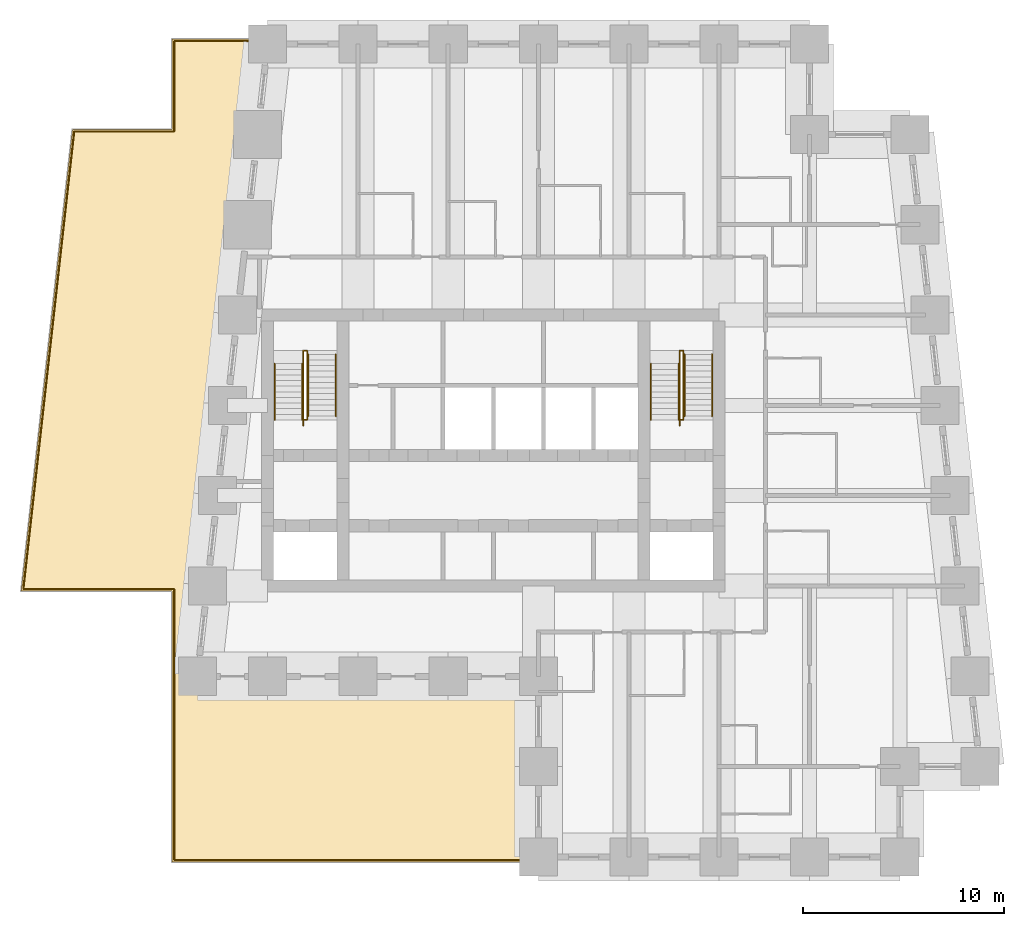
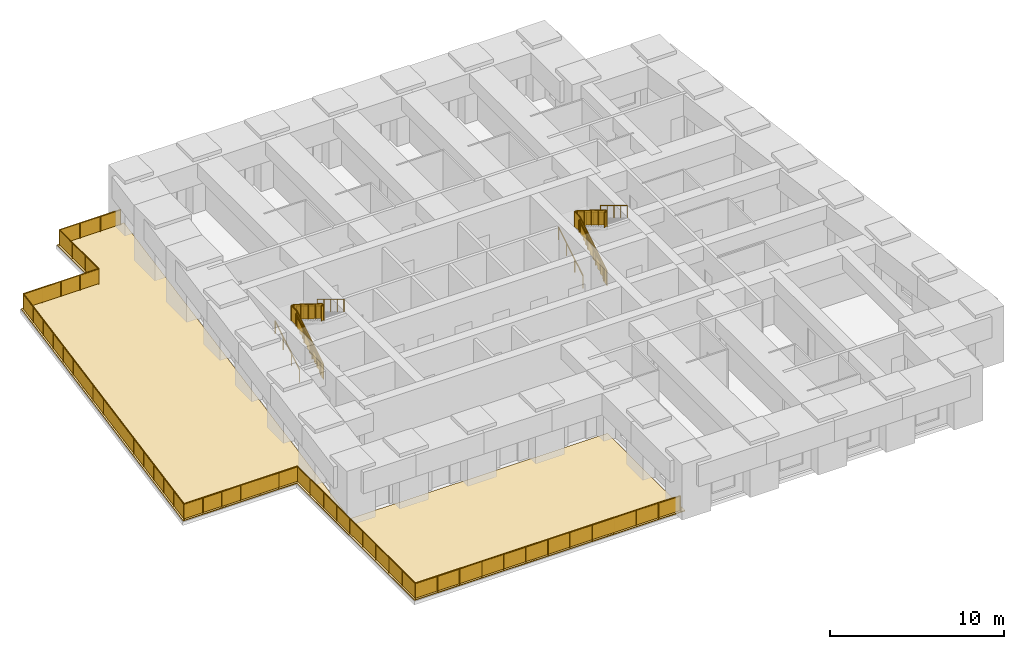
# One storey, part 7 of 7: 13 railings, 1 covering.
"""IFC4 building model written with IfcOpenShell, lengths in metres."""

from ifc_helpers import new_model, si_unit, direction, frame, origin, origin_2d, place, context, subcontext, project, spatial, polyline, circle, outline, extrude, material, layer, layer_set, type_object, element, save


model = new_model("IFC4")

# Units and contexts
model_context = context("Model", 3, precision=1e-05, world=origin(), true_north=direction((0.0, 1.0)))
body_context = subcontext(model_context, "Body", "Model", "MODEL_VIEW")
ifc_project = project(units=[si_unit("LENGTHUNIT", "METRE"), si_unit("AREAUNIT", "SQUARE_METRE"), si_unit("VOLUMEUNIT", "CUBIC_METRE"), si_unit("PLANEANGLEUNIT", "RADIAN"), si_unit("MASSUNIT", "GRAM", prefix="KILO")], contexts=[model_context])

# Site, building, storey
site_placement = place(None, origin())
site = spatial("IfcSite", under=ifc_project, at=site_placement, CompositionType="ELEMENT")
building_placement = place(site_placement, origin())
building = spatial("IfcBuilding", under=site, at=building_placement, Name="Kilele Tower Hotel", CompositionType="ELEMENT")
storey_placement = place(building_placement, frame((0.0, 0.0, 217.39990234375)))
storey = spatial("IfcBuildingStorey", under=building, at=storey_placement, Name="L56", CompositionType="ELEMENT", Elevation=217.39990234375)

# Railings
ifc_material_1 = material(Name="Toughened laminated glass balustrade", Category="glass")
railing_type_1 = type_object("IfcRailingType", Name="Glass balustrade 1100", PredefinedType="BALUSTRADE", material=ifc_material_1)
railing_1_placement = place(storey_placement, frame((26.39990234375, -0.14990234375, 0.050048828125)))
element("IfcRailing", 1, at=railing_1_placement, inside=storey, type_object=railing_type_1, Name="Terrace balustrade", PredefinedType="BALUSTRADE", context=body_context, shape_type="SweptSolid", body=[
    extrude(circle(Radius=0.030029296875, at=origin_2d()), frame((0.0, 0.0, 1.070068359375), z_axis=(-1.0, 0.0, 0.0), x_axis=(0.0, -1.0, 0.0)), (0.0, 0.0, 1.0), 17.5498046875),
    extrude(circle(Radius=0.030029296875, at=origin_2d()), frame((-17.5498046875, 0.0, 1.070068359375), z_axis=(0.0, 1.0, 0.0), x_axis=(-1.0, 0.0, 0.0)), (0.0, 0.0, 1.0), 13.5),
    extrude(circle(Radius=0.030029296875, at=origin_2d()), frame((-17.5498046875, 13.5, 1.070068359375), z_axis=(-1.0, 0.0, 0.0), x_axis=(0.0, -1.0, 0.0)), (0.0, 0.0, 1.0), 7.517578125),
    extrude(circle(Radius=0.030029296875, at=origin_2d()), frame((-25.0673828125, 13.5, 1.070068359375), z_axis=(0.110426853745, 0.99388425381, 0.0), x_axis=(-0.99388425381, 0.110426853745, 0.0)), (0.0, 0.0, 1.0), 22.940185546875),
    extrude(circle(Radius=0.030029296875, at=origin_2d()), frame((-22.5341796875, 36.2998046875, 1.070068359375), z_axis=(1.0, 0.0, 0.0), x_axis=(0.0, 1.0, 0.0)), (0.0, 0.0, 1.0), 4.984375),
    extrude(circle(Radius=0.030029296875, at=origin_2d()), frame((-17.5498046875, 36.2998046875, 1.070068359375), z_axis=(0.0, 1.0, 0.0), x_axis=(-1.0, 0.0, 0.0)), (0.0, 0.0, 1.0), 4.5),
    extrude(circle(Radius=0.030029296875, at=origin_2d()), frame((-17.5498046875, 40.7998046875, 1.070068359375), z_axis=(1.0, 0.0, 0.0), x_axis=(0.0, 1.0, 0.0)), (0.0, 0.0, 1.0), 4.06298828125),
    extrude(circle(Radius=0.02490234375, at=origin_2d()), origin(), (0.0, 0.0, 1.0), 1.0400390625),
    extrude(circle(Radius=0.02490234375, at=origin_2d()), frame((-1.46240234375, 0.0, 0.0)), (0.0, 0.0, 1.0), 1.0400390625),
    extrude(circle(Radius=0.02490234375, at=origin_2d()), frame((-2.925048828125, 0.0, 0.0)), (0.0, 0.0, 1.0), 1.0400390625),
    extrude(circle(Radius=0.02490234375, at=origin_2d()), frame((-4.387451171875, 0.0, 0.0)), (0.0, 0.0, 1.0), 1.0400390625),
    extrude(circle(Radius=0.02490234375, at=origin_2d()), frame((-5.849853515625, 0.0, 0.0)), (0.0, 0.0, 1.0), 1.0400390625),
    extrude(circle(Radius=0.02490234375, at=origin_2d()), frame((-7.3125, 0.0, 0.0)), (0.0, 0.0, 1.0), 1.0400390625),
    extrude(circle(Radius=0.02490234375, at=origin_2d()), frame((-8.77490234375, 0.0, 0.0)), (0.0, 0.0, 1.0), 1.0400390625),
    extrude(circle(Radius=0.02490234375, at=origin_2d()), frame((-10.2373046875, 0.0, 0.0)), (0.0, 0.0, 1.0), 1.0400390625),
    extrude(circle(Radius=0.02490234375, at=origin_2d()), frame((-11.699951171875, 0.0, 0.0)), (0.0, 0.0, 1.0), 1.0400390625),
    extrude(circle(Radius=0.02490234375, at=origin_2d()), frame((-13.162353515625, 0.0, 0.0)), (0.0, 0.0, 1.0), 1.0400390625),
    extrude(circle(Radius=0.02490234375, at=origin_2d()), frame((-14.624755859375, 0.0, 0.0)), (0.0, 0.0, 1.0), 1.0400390625),
    extrude(circle(Radius=0.02490234375, at=origin_2d()), frame((-16.08740234375, 0.0, 0.0)), (0.0, 0.0, 1.0), 1.0400390625),
    extrude(circle(Radius=0.02490234375, at=origin_2d()), frame((-17.5498046875, 0.0, 0.0)), (0.0, 0.0, 1.0), 1.0400390625),
    extrude(circle(Radius=0.02490234375, at=origin_2d()), frame((-17.5498046875, 1.5, 0.0)), (0.0, 0.0, 1.0), 1.0400390625),
    extrude(circle(Radius=0.02490234375, at=origin_2d()), frame((-17.5498046875, 3.0, 0.0)), (0.0, 0.0, 1.0), 1.0400390625),
    extrude(circle(Radius=0.02490234375, at=origin_2d()), frame((-17.5498046875, 4.5, 0.0)), (0.0, 0.0, 1.0), 1.0400390625),
    extrude(circle(Radius=0.02490234375, at=origin_2d()), frame((-17.5498046875, 6.0, 0.0)), (0.0, 0.0, 1.0), 1.0400390625),
    extrude(circle(Radius=0.02490234375, at=origin_2d()), frame((-17.5498046875, 7.5, 0.0)), (0.0, 0.0, 1.0), 1.0400390625),
    extrude(circle(Radius=0.02490234375, at=origin_2d()), frame((-17.5498046875, 9.0, 0.0)), (0.0, 0.0, 1.0), 1.0400390625),
    extrude(circle(Radius=0.02490234375, at=origin_2d()), frame((-17.5498046875, 10.5, 0.0)), (0.0, 0.0, 1.0), 1.0400390625),
    extrude(circle(Radius=0.02490234375, at=origin_2d()), frame((-17.5498046875, 12.0, 0.0)), (0.0, 0.0, 1.0), 1.0400390625),
    extrude(circle(Radius=0.02490234375, at=origin_2d()), frame((-17.5498046875, 13.5, 0.0)), (0.0, 0.0, 1.0), 1.0400390625),
    extrude(circle(Radius=0.02490234375, at=origin_2d()), frame((-18.802734375, 13.5, 0.0)), (0.0, 0.0, 1.0), 1.0400390625),
    extrude(circle(Radius=0.02490234375, at=origin_2d()), frame((-20.0556640625, 13.5, 0.0)), (0.0, 0.0, 1.0), 1.0400390625),
    extrude(circle(Radius=0.02490234375, at=origin_2d()), frame((-21.30859375, 13.5, 0.0)), (0.0, 0.0, 1.0), 1.0400390625),
    extrude(circle(Radius=0.02490234375, at=origin_2d()), frame((-22.5615234375, 13.5, 0.0)), (0.0, 0.0, 1.0), 1.0400390625),
    extrude(circle(Radius=0.02490234375, at=origin_2d()), frame((-23.814453125, 13.5, 0.0)), (0.0, 0.0, 1.0), 1.0400390625),
    extrude(circle(Radius=0.02490234375, at=origin_2d()), frame((-25.0673828125, 13.5, 0.0)), (0.0, 0.0, 1.0), 1.0400390625),
    extrude(circle(Radius=0.02490234375, at=origin_2d()), frame((-24.9091796875, 14.925048828125, 0.0)), (0.0, 0.0, 1.0), 1.0400390625),
    extrude(circle(Radius=0.02490234375, at=origin_2d()), frame((-24.750732421875, 16.35009765625, 0.0)), (0.0, 0.0, 1.0), 1.0400390625),
    extrude(circle(Radius=0.02490234375, at=origin_2d()), frame((-24.59228515625, 17.77490234375, 0.0)), (0.0, 0.0, 1.0), 1.0400390625),
    extrude(circle(Radius=0.02490234375, at=origin_2d()), frame((-24.43408203125, 19.199951171875, 0.0)), (0.0, 0.0, 1.0), 1.0400390625),
    extrude(circle(Radius=0.02490234375, at=origin_2d()), frame((-24.27587890625, 20.625, 0.0)), (0.0, 0.0, 1.0), 1.0400390625),
    extrude(circle(Radius=0.02490234375, at=origin_2d()), frame((-24.117431640625, 22.0498046875, 0.0)), (0.0, 0.0, 1.0), 1.0400390625),
    extrude(circle(Radius=0.02490234375, at=origin_2d()), frame((-23.958984375, 23.474853515625, 0.0)), (0.0, 0.0, 1.0), 1.0400390625),
    extrude(circle(Radius=0.02490234375, at=origin_2d()), frame((-23.80078125, 24.89990234375, 0.0)), (0.0, 0.0, 1.0), 1.0400390625),
    extrude(circle(Radius=0.02490234375, at=origin_2d()), frame((-23.642578125, 26.324951171875, 0.0)), (0.0, 0.0, 1.0), 1.0400390625),
    extrude(circle(Radius=0.02490234375, at=origin_2d()), frame((-23.484130859375, 27.75, 0.0)), (0.0, 0.0, 1.0), 1.0400390625),
    extrude(circle(Radius=0.02490234375, at=origin_2d()), frame((-23.32568359375, 29.1748046875, 0.0)), (0.0, 0.0, 1.0), 1.0400390625),
    extrude(circle(Radius=0.02490234375, at=origin_2d()), frame((-23.16748046875, 30.599853515625, 0.0)), (0.0, 0.0, 1.0), 1.0400390625),
    extrude(circle(Radius=0.02490234375, at=origin_2d()), frame((-23.00927734375, 32.02490234375, 0.0)), (0.0, 0.0, 1.0), 1.0400390625),
    extrude(circle(Radius=0.02490234375, at=origin_2d()), frame((-22.850830078125, 33.44970703125, 0.0)), (0.0, 0.0, 1.0), 1.0400390625),
    extrude(circle(Radius=0.02490234375, at=origin_2d()), frame((-22.6923828125, 34.874755859375, 0.0)), (0.0, 0.0, 1.0), 1.0400390625),
    extrude(circle(Radius=0.02490234375, at=origin_2d()), frame((-22.5341796875, 36.2998046875, 0.0)), (0.0, 0.0, 1.0), 1.0400390625),
    extrude(circle(Radius=0.02490234375, at=origin_2d()), frame((-21.2880859375, 36.2998046875, 0.0)), (0.0, 0.0, 1.0), 1.0400390625),
    extrude(circle(Radius=0.02490234375, at=origin_2d()), frame((-20.0419921875, 36.2998046875, 0.0)), (0.0, 0.0, 1.0), 1.0400390625),
    extrude(circle(Radius=0.02490234375, at=origin_2d()), frame((-18.7958984375, 36.2998046875, 0.0)), (0.0, 0.0, 1.0), 1.0400390625),
    extrude(circle(Radius=0.02490234375, at=origin_2d()), frame((-17.5498046875, 36.2998046875, 0.0)), (0.0, 0.0, 1.0), 1.0400390625),
    extrude(circle(Radius=0.02490234375, at=origin_2d()), frame((-17.5498046875, 37.7998046875, 0.0)), (0.0, 0.0, 1.0), 1.0400390625),
    extrude(circle(Radius=0.02490234375, at=origin_2d()), frame((-17.5498046875, 39.2998046875, 0.0)), (0.0, 0.0, 1.0), 1.0400390625),
    extrude(circle(Radius=0.02490234375, at=origin_2d()), frame((-17.5498046875, 40.7998046875, 0.0)), (0.0, 0.0, 1.0), 1.0400390625),
    extrude(circle(Radius=0.02490234375, at=origin_2d()), frame((-16.195556640625, 40.7998046875, 0.0)), (0.0, 0.0, 1.0), 1.0400390625),
    extrude(circle(Radius=0.02490234375, at=origin_2d()), frame((-14.841064453125, 40.7998046875, 0.0)), (0.0, 0.0, 1.0), 1.0400390625),
    extrude(circle(Radius=0.02490234375, at=origin_2d()), frame((-13.48681640625, 40.7998046875, 0.0)), (0.0, 0.0, 1.0), 1.0400390625),
    extrude(outline(polyline([(0.0, 0.030029296875), (17.537353515625, 0.030029296875), (17.537353515625, 1.0400390625), (0.0, 1.0400390625), (0.0, 0.030029296875)])), frame((0.0, -0.0087890625, 0.0), z_axis=(0.0, 1.0, 0.0), x_axis=(-1.0, 0.0, 0.0)), (0.0, 0.0, 1.0), 0.017578125),
    extrude(outline(polyline([(0.012451171875, 0.030029296875), (13.487548828125, 0.030029296875), (13.487548828125, 1.0400390625), (0.012451171875, 1.0400390625), (0.012451171875, 0.030029296875)])), frame((-17.55859375, 0.0, 0.0), z_axis=(1.0, 0.0, 0.0), x_axis=(0.0, 1.0, 0.0)), (0.0, 0.0, 1.0), 0.017578125),
    extrude(outline(polyline([(0.012451171875, 0.030029296875), (7.505126953125, 0.030029296875), (7.505126953125, 1.0400390625), (0.012451171875, 1.0400390625), (0.012451171875, 0.030029296875)])), frame((-17.5498046875, 13.4912109375, 0.0), z_axis=(0.0, 1.0, 0.0), x_axis=(-1.0, 0.0, 0.0)), (0.0, 0.0, 1.0), 0.017578125),
    extrude(outline(polyline([(0.012451171875, 0.030029296875), (22.927734375, 0.030029296875), (22.927734375, 1.0400390625), (0.012451171875, 1.0400390625), (0.012451171875, 0.030029296875)])), frame((-25.076171875, 13.5009765625, 0.0), z_axis=(0.99388425381, -0.110426853745, 0.0), x_axis=(0.110426853745, 0.99388425381, 0.0)), (0.0, 0.0, 1.0), 0.017578125),
    extrude(outline(polyline([(0.012451171875, 0.030029296875), (4.971923828125, 0.030029296875), (4.971923828125, 1.0400390625), (0.012451171875, 1.0400390625), (0.012451171875, 0.030029296875)])), frame((-22.5341796875, 36.30859375, 0.0), z_axis=(0.0, -1.0, 0.0), x_axis=(1.0, 0.0, 0.0)), (0.0, 0.0, 1.0), 0.017578125),
    extrude(outline(polyline([(0.012451171875, 0.030029296875), (4.487548828125, 0.030029296875), (4.487548828125, 1.0400390625), (0.012451171875, 1.0400390625), (0.012451171875, 0.030029296875)])), frame((-17.55859375, 36.2998046875, 0.0), z_axis=(1.0, 0.0, 0.0), x_axis=(0.0, 1.0, 0.0)), (0.0, 0.0, 1.0), 0.017578125),
    extrude(outline(polyline([(0.012451171875, 0.030029296875), (4.06298828125, 0.030029296875), (4.06298828125, 1.0400390625), (0.012451171875, 1.0400390625), (0.012451171875, 0.030029296875)])), frame((-17.5498046875, 40.80859375, 0.0), z_axis=(0.0, -1.0, 0.0), x_axis=(1.0, 0.0, 0.0)), (0.0, 0.0, 1.0), 0.017578125),
])
ifc_material_2 = material(Name="Steel handrail", Category="steel")
railing_type_2 = type_object("IfcRailingType", Name="Handrail 900", PredefinedType="HANDRAIL", material=ifc_material_2)
for number, where, name in (
    (2, (13.85009765625, 21.77490234375, 0.169677734375), "Handrail ST1 flight 1"),
    (3, (15.22509765625, 21.77490234375, 0.169677734375), "Handrail ST1 flight 1"),
):
    element("IfcRailing", number, at=place(storey_placement, frame(where)), inside=storey, type_object=railing_type_2, Name=name, PredefinedType="HANDRAIL", context=body_context, shape_type="SweptSolid", body=[
        extrude(circle(Radius=0.02490234375, at=origin_2d()), frame((0.0, 0.0, 0.875), z_axis=(0.0, 0.855393119324, 0.517979354234), x_axis=(-1.0, 0.0, 0.0)), (0.0, 0.0, 1.0), 3.2734375),
        extrude(circle(Radius=0.02001953125, at=origin_2d()), origin(), (0.0, 0.0, 1.0), 0.849853515625),
        extrude(circle(Radius=0.02001953125, at=origin_2d()), frame((0.0, 0.933349609375, 0.565185546875)), (0.0, 0.0, 1.0), 0.849853515625),
        extrude(circle(Radius=0.02001953125, at=origin_2d()), frame((0.0, 1.86669921875, 1.13037109375)), (0.0, 0.0, 1.0), 0.849853515625),
        extrude(circle(Radius=0.02001953125, at=origin_2d()), frame((0.0, 2.800048828125, 1.695556640625)), (0.0, 0.0, 1.0), 0.849853515625),
    ])
for number, where, name in (
    (4, (15.52490234375, 25.0400390625, 2.034912109375), "Handrail ST1 flight 2"),
    (5, (16.89990234375, 25.0400390625, 2.034912109375), "Handrail ST1 flight 2"),
):
    element("IfcRailing", number, at=place(storey_placement, frame(where)), inside=storey, type_object=railing_type_2, Name=name, PredefinedType="HANDRAIL", context=body_context, shape_type="SweptSolid", body=[
        extrude(circle(Radius=0.02490234375, at=origin_2d()), frame((0.0, 0.0, 0.875), z_axis=(0.0, -0.855379917629, 0.518001154937), x_axis=(1.0, 0.0, 0.0)), (0.0, 0.0, 1.0), 3.600830078125),
        extrude(circle(Radius=0.02001953125, at=origin_2d()), origin(), (0.0, 0.0, 1.0), 0.849853515625),
        extrude(circle(Radius=0.02001953125, at=origin_2d()), frame((0.0, -0.77001953125, 0.46630859375)), (0.0, 0.0, 1.0), 0.849853515625),
        extrude(circle(Radius=0.02001953125, at=origin_2d()), frame((0.0, -1.5400390625, 0.9326171875)), (0.0, 0.0, 1.0), 0.849853515625),
        extrude(circle(Radius=0.02001953125, at=origin_2d()), frame((0.0, -2.31005859375, 1.39892578125)), (0.0, 0.0, 1.0), 0.849853515625),
        extrude(circle(Radius=0.02001953125, at=origin_2d()), frame((0.0, -3.080078125, 1.865234375)), (0.0, 0.0, 1.0), 0.849853515625),
    ])
for number, where, name in (
    (6, (32.60009765625, 21.77490234375, 0.169677734375), "Handrail ST2 flight 1"),
    (7, (33.97509765625, 21.77490234375, 0.169677734375), "Handrail ST2 flight 1"),
):
    element("IfcRailing", number, at=place(storey_placement, frame(where)), inside=storey, type_object=railing_type_2, Name=name, PredefinedType="HANDRAIL", context=body_context, shape_type="SweptSolid", body=[
        extrude(circle(Radius=0.02490234375, at=origin_2d()), frame((0.0, 0.0, 0.875), z_axis=(0.0, 0.855393119324, 0.517979354234), x_axis=(-1.0, 0.0, 0.0)), (0.0, 0.0, 1.0), 3.2734375),
        extrude(circle(Radius=0.02001953125, at=origin_2d()), origin(), (0.0, 0.0, 1.0), 0.849853515625),
        extrude(circle(Radius=0.02001953125, at=origin_2d()), frame((0.0, 0.933349609375, 0.565185546875)), (0.0, 0.0, 1.0), 0.849853515625),
        extrude(circle(Radius=0.02001953125, at=origin_2d()), frame((0.0, 1.86669921875, 1.13037109375)), (0.0, 0.0, 1.0), 0.849853515625),
        extrude(circle(Radius=0.02001953125, at=origin_2d()), frame((0.0, 2.800048828125, 1.695556640625)), (0.0, 0.0, 1.0), 0.849853515625),
    ])
for number, where, name in (
    (8, (34.27490234375, 25.0400390625, 2.034912109375), "Handrail ST2 flight 2"),
    (9, (35.64990234375, 25.0400390625, 2.034912109375), "Handrail ST2 flight 2"),
):
    element("IfcRailing", number, at=place(storey_placement, frame(where)), inside=storey, type_object=railing_type_2, Name=name, PredefinedType="HANDRAIL", context=body_context, shape_type="SweptSolid", body=[
        extrude(circle(Radius=0.02490234375, at=origin_2d()), frame((0.0, 0.0, 0.875), z_axis=(0.0, -0.855379917629, 0.518001154937), x_axis=(1.0, 0.0, 0.0)), (0.0, 0.0, 1.0), 3.600830078125),
        extrude(circle(Radius=0.02001953125, at=origin_2d()), origin(), (0.0, 0.0, 1.0), 0.849853515625),
        extrude(circle(Radius=0.02001953125, at=origin_2d()), frame((0.0, -0.77001953125, 0.46630859375)), (0.0, 0.0, 1.0), 0.849853515625),
        extrude(circle(Radius=0.02001953125, at=origin_2d()), frame((0.0, -1.5400390625, 0.9326171875)), (0.0, 0.0, 1.0), 0.849853515625),
        extrude(circle(Radius=0.02001953125, at=origin_2d()), frame((0.0, -2.31005859375, 1.39892578125)), (0.0, 0.0, 1.0), 0.849853515625),
        extrude(circle(Radius=0.02001953125, at=origin_2d()), frame((0.0, -3.080078125, 1.865234375)), (0.0, 0.0, 1.0), 0.849853515625),
    ])
ifc_material_3 = material(Name="Steel guard", Category="steel")
railing_type_3 = type_object("IfcRailingType", Name="Stair guard 1100", PredefinedType="GUARDRAIL", material=ifc_material_3)
railing_2_placement = place(storey_placement, frame((15.284912109375, 21.4951171875, 0.0)))
element("IfcRailing", 10, at=railing_2_placement, inside=storey, type_object=railing_type_3, Name="Stair well guard ST1 flight 1", PredefinedType="GUARDRAIL", context=body_context, shape_type="SweptSolid", body=[
    extrude(circle(Radius=0.02490234375, at=origin_2d()), frame((0.0, 0.0, 1.0751953125), z_axis=(0.0, 0.855361723277, 0.518031198243), x_axis=(-1.0, 0.0, 0.0)), (0.0, 0.0, 1.0), 3.6005859375),
    extrude(circle(Radius=0.02490234375, at=origin_2d()), frame((0.0, 3.079833984375, 2.9404296875), z_axis=(0.0, 1.0, 0.0), x_axis=(-1.0, 0.0, 0.0)), (0.0, 0.0, 1.0), 0.650146484375),
    extrude(circle(Radius=0.02490234375, at=origin_2d()), frame((0.0, 3.72998046875, 2.9404296875), z_axis=(1.0, 0.0, 0.0), x_axis=(0.0, 1.0, 0.0)), (0.0, 0.0, 1.0), 0.18017578125),
    extrude(circle(Radius=0.02490234375, at=origin_2d()), origin(), (0.0, 0.0, 1.0), 1.050048828125),
    extrude(circle(Radius=0.02490234375, at=origin_2d()), frame((0.0, 0.77001953125, 0.46630859375)), (0.0, 0.0, 1.0), 1.050048828125),
    extrude(circle(Radius=0.02490234375, at=origin_2d()), frame((0.0, 1.5400390625, 0.9326171875)), (0.0, 0.0, 1.0), 1.050048828125),
    extrude(circle(Radius=0.02490234375, at=origin_2d()), frame((0.0, 2.309814453125, 1.39892578125)), (0.0, 0.0, 1.0), 1.050048828125),
    extrude(circle(Radius=0.02490234375, at=origin_2d()), frame((0.0, 3.079833984375, 1.865234375)), (0.0, 0.0, 1.0), 1.050048828125),
    extrude(circle(Radius=0.02490234375, at=origin_2d()), frame((0.0, 3.72998046875, 1.865234375)), (0.0, 0.0, 1.0), 1.050048828125),
    extrude(circle(Radius=0.02490234375, at=origin_2d()), frame((0.18017578125, 3.72998046875, 1.865234375)), (0.0, 0.0, 1.0), 1.050048828125),
    extrude(outline(polyline([(0.012451171875, 0.030029296875), (0.25, 0.030029296875), (0.25, 0.19970703125), (0.530029296875, 0.19970703125), (0.530029296875, 0.369140625), (0.809814453125, 0.369140625), (0.809814453125, 0.538818359375), (1.08984375, 0.538818359375), (1.08984375, 0.708251953125), (1.369873046875, 0.708251953125), (1.369873046875, 0.8779296875), (1.64990234375, 0.8779296875), (1.64990234375, 1.04736328125), (1.929931640625, 1.04736328125), (1.929931640625, 1.217041015625), (2.2099609375, 1.217041015625), (2.2099609375, 1.386474609375), (2.48974609375, 1.386474609375), (2.48974609375, 1.55615234375), (2.769775390625, 1.55615234375), (2.769775390625, 1.7255859375), (3.0498046875, 1.7255859375), (3.0498046875, 1.895263671875), (3.0673828125, 1.895263671875), (3.0673828125, 2.903564453125), (0.012451171875, 1.053466796875), (0.012451171875, 0.030029296875)])), frame((-0.005859375, 0.0, 0.0), z_axis=(1.0, 0.0, 0.0), x_axis=(0.0, 1.0, 0.0)), (0.0, 0.0, 1.0), 0.011962890625),
    extrude(outline(polyline([(0.012451171875, 0.030029296875), (0.6376953125, 0.030029296875), (0.6376953125, 1.050048828125), (0.012451171875, 1.050048828125), (0.012451171875, 0.030029296875)])), frame((-0.005859375, 3.079833984375, 1.865234375), z_axis=(1.0, 0.0, 0.0), x_axis=(0.0, 1.0, 0.0)), (0.0, 0.0, 1.0), 0.011962890625),
    extrude(outline(polyline([(0.012451171875, 0.030029296875), (0.18017578125, 0.030029296875), (0.18017578125, 1.050048828125), (0.012451171875, 1.050048828125), (0.012451171875, 0.030029296875)])), frame((0.0, 3.73583984375, 1.865234375), z_axis=(0.0, -1.0, 0.0), x_axis=(1.0, 0.0, 0.0)), (0.0, 0.0, 1.0), 0.011962890625),
])
railing_3_placement = place(storey_placement, frame((15.465087890625, 25.22509765625, 1.865234375)))
element("IfcRailing", 11, at=railing_3_placement, inside=storey, type_object=railing_type_3, Name="Stair well guard ST1 flight 2", PredefinedType="GUARDRAIL", context=body_context, shape_type="SweptSolid", body=[
    extrude(circle(Radius=0.02490234375, at=origin_2d()), frame((0.0, 0.0, 1.0751953125), z_axis=(0.0, -0.848674962302, 0.528914745834), x_axis=(1.0, 0.0, 0.0)), (0.0, 0.0, 1.0), 3.847412109375),
    extrude(circle(Radius=0.02490234375, at=origin_2d()), frame((0.0, -3.26513671875, 3.10986328125), z_axis=(0.0, -1.0, 0.0), x_axis=(1.0, 0.0, 0.0)), (0.0, 0.0, 1.0), 0.18505859375),
    extrude(circle(Radius=0.02490234375, at=origin_2d()), frame((0.0, -3.4501953125, 3.10986328125), z_axis=(-1.0, 0.0, 0.0), x_axis=(0.0, -1.0, 0.0)), (0.0, 0.0, 1.0), 0.18017578125),
    extrude(circle(Radius=0.02490234375, at=origin_2d()), origin(), (0.0, 0.0, 1.0), 1.050048828125),
    extrude(circle(Radius=0.02490234375, at=origin_2d()), frame((0.0, -0.81640625, 0.5087890625)), (0.0, 0.0, 1.0), 1.050048828125),
    extrude(circle(Radius=0.02490234375, at=origin_2d()), frame((0.0, -1.632568359375, 1.017578125)), (0.0, 0.0, 1.0), 1.050048828125),
    extrude(circle(Radius=0.02490234375, at=origin_2d()), frame((0.0, -2.44873046875, 1.526123046875)), (0.0, 0.0, 1.0), 1.050048828125),
    extrude(circle(Radius=0.02490234375, at=origin_2d()), frame((0.0, -3.26513671875, 2.034912109375)), (0.0, 0.0, 1.0), 1.050048828125),
    extrude(circle(Radius=0.02490234375, at=origin_2d()), frame((0.0, -3.4501953125, 2.034912109375)), (0.0, 0.0, 1.0), 1.050048828125),
    extrude(circle(Radius=0.02490234375, at=origin_2d()), frame((-0.18017578125, -3.4501953125, 2.034912109375)), (0.0, 0.0, 1.0), 1.050048828125),
    extrude(outline(polyline([(0.0, 0.030029296875), (3.252685546875, 2.05712890625), (3.252685546875, 3.07275390625), (0.0, 1.045654296875), (0.0, 0.030029296875)])), frame((0.005859375, 0.0, 0.0), z_axis=(-1.0, 0.0, 0.0), x_axis=(0.0, -1.0, 0.0)), (0.0, 0.0, 1.0), 0.011962890625),
    extrude(outline(polyline([(0.012451171875, 0.030029296875), (0.172607421875, 0.030029296875), (0.172607421875, 1.050048828125), (0.012451171875, 1.050048828125), (0.012451171875, 0.030029296875)])), frame((0.005859375, -3.26513671875, 2.034912109375), z_axis=(-1.0, 0.0, 0.0), x_axis=(0.0, -1.0, 0.0)), (0.0, 0.0, 1.0), 0.011962890625),
    extrude(outline(polyline([(0.012451171875, 0.030029296875), (0.18017578125, 0.030029296875), (0.18017578125, 1.050048828125), (0.012451171875, 1.050048828125), (0.012451171875, 0.030029296875)])), frame((0.0, -3.4560546875, 2.034912109375), z_axis=(0.0, 1.0, 0.0), x_axis=(-1.0, 0.0, 0.0)), (0.0, 0.0, 1.0), 0.011962890625),
])
railing_4_placement = place(storey_placement, frame((34.034912109375, 21.4951171875, 0.0)))
element("IfcRailing", 12, at=railing_4_placement, inside=storey, type_object=railing_type_3, Name="Stair well guard ST2 flight 1", PredefinedType="GUARDRAIL", context=body_context, shape_type="SweptSolid", body=[
    extrude(circle(Radius=0.02490234375, at=origin_2d()), frame((0.0, 0.0, 1.0751953125), z_axis=(0.0, 0.855361723277, 0.518031198243), x_axis=(-1.0, 0.0, 0.0)), (0.0, 0.0, 1.0), 3.6005859375),
    extrude(circle(Radius=0.02490234375, at=origin_2d()), frame((0.0, 3.079833984375, 2.9404296875), z_axis=(0.0, 1.0, 0.0), x_axis=(-1.0, 0.0, 0.0)), (0.0, 0.0, 1.0), 0.650146484375),
    extrude(circle(Radius=0.02490234375, at=origin_2d()), frame((0.0, 3.72998046875, 2.9404296875), z_axis=(1.0, 0.0, 0.0), x_axis=(0.0, 1.0, 0.0)), (0.0, 0.0, 1.0), 0.18017578125),
    extrude(circle(Radius=0.02490234375, at=origin_2d()), origin(), (0.0, 0.0, 1.0), 1.050048828125),
    extrude(circle(Radius=0.02490234375, at=origin_2d()), frame((0.0, 0.77001953125, 0.46630859375)), (0.0, 0.0, 1.0), 1.050048828125),
    extrude(circle(Radius=0.02490234375, at=origin_2d()), frame((0.0, 1.5400390625, 0.9326171875)), (0.0, 0.0, 1.0), 1.050048828125),
    extrude(circle(Radius=0.02490234375, at=origin_2d()), frame((0.0, 2.309814453125, 1.39892578125)), (0.0, 0.0, 1.0), 1.050048828125),
    extrude(circle(Radius=0.02490234375, at=origin_2d()), frame((0.0, 3.079833984375, 1.865234375)), (0.0, 0.0, 1.0), 1.050048828125),
    extrude(circle(Radius=0.02490234375, at=origin_2d()), frame((0.0, 3.72998046875, 1.865234375)), (0.0, 0.0, 1.0), 1.050048828125),
    extrude(circle(Radius=0.02490234375, at=origin_2d()), frame((0.18017578125, 3.72998046875, 1.865234375)), (0.0, 0.0, 1.0), 1.050048828125),
    extrude(outline(polyline([(0.012451171875, 0.030029296875), (0.25, 0.030029296875), (0.25, 0.19970703125), (0.530029296875, 0.19970703125), (0.530029296875, 0.369140625), (0.809814453125, 0.369140625), (0.809814453125, 0.538818359375), (1.08984375, 0.538818359375), (1.08984375, 0.708251953125), (1.369873046875, 0.708251953125), (1.369873046875, 0.8779296875), (1.64990234375, 0.8779296875), (1.64990234375, 1.04736328125), (1.929931640625, 1.04736328125), (1.929931640625, 1.217041015625), (2.2099609375, 1.217041015625), (2.2099609375, 1.386474609375), (2.48974609375, 1.386474609375), (2.48974609375, 1.55615234375), (2.769775390625, 1.55615234375), (2.769775390625, 1.7255859375), (3.0498046875, 1.7255859375), (3.0498046875, 1.895263671875), (3.0673828125, 1.895263671875), (3.0673828125, 2.903564453125), (0.012451171875, 1.053466796875), (0.012451171875, 0.030029296875)])), frame((-0.005859375, 0.0, 0.0), z_axis=(1.0, 0.0, 0.0), x_axis=(0.0, 1.0, 0.0)), (0.0, 0.0, 1.0), 0.011962890625),
    extrude(outline(polyline([(0.012451171875, 0.030029296875), (0.6376953125, 0.030029296875), (0.6376953125, 1.050048828125), (0.012451171875, 1.050048828125), (0.012451171875, 0.030029296875)])), frame((-0.005859375, 3.079833984375, 1.865234375), z_axis=(1.0, 0.0, 0.0), x_axis=(0.0, 1.0, 0.0)), (0.0, 0.0, 1.0), 0.011962890625),
    extrude(outline(polyline([(0.012451171875, 0.030029296875), (0.18017578125, 0.030029296875), (0.18017578125, 1.050048828125), (0.012451171875, 1.050048828125), (0.012451171875, 0.030029296875)])), frame((0.0, 3.73583984375, 1.865234375), z_axis=(0.0, -1.0, 0.0), x_axis=(1.0, 0.0, 0.0)), (0.0, 0.0, 1.0), 0.011962890625),
])
railing_5_placement = place(storey_placement, frame((34.215087890625, 25.22509765625, 1.865234375)))
element("IfcRailing", 13, at=railing_5_placement, inside=storey, type_object=railing_type_3, Name="Stair well guard ST2 flight 2", PredefinedType="GUARDRAIL", context=body_context, shape_type="SweptSolid", body=[
    extrude(circle(Radius=0.02490234375, at=origin_2d()), frame((0.0, 0.0, 1.0751953125), z_axis=(0.0, -0.848674962302, 0.528914745834), x_axis=(1.0, 0.0, 0.0)), (0.0, 0.0, 1.0), 3.847412109375),
    extrude(circle(Radius=0.02490234375, at=origin_2d()), frame((0.0, -3.26513671875, 3.10986328125), z_axis=(0.0, -1.0, 0.0), x_axis=(1.0, 0.0, 0.0)), (0.0, 0.0, 1.0), 0.18505859375),
    extrude(circle(Radius=0.02490234375, at=origin_2d()), frame((0.0, -3.4501953125, 3.10986328125), z_axis=(-1.0, 0.0, 0.0), x_axis=(0.0, -1.0, 0.0)), (0.0, 0.0, 1.0), 0.18017578125),
    extrude(circle(Radius=0.02490234375, at=origin_2d()), origin(), (0.0, 0.0, 1.0), 1.050048828125),
    extrude(circle(Radius=0.02490234375, at=origin_2d()), frame((0.0, -0.81640625, 0.5087890625)), (0.0, 0.0, 1.0), 1.050048828125),
    extrude(circle(Radius=0.02490234375, at=origin_2d()), frame((0.0, -1.632568359375, 1.017578125)), (0.0, 0.0, 1.0), 1.050048828125),
    extrude(circle(Radius=0.02490234375, at=origin_2d()), frame((0.0, -2.44873046875, 1.526123046875)), (0.0, 0.0, 1.0), 1.050048828125),
    extrude(circle(Radius=0.02490234375, at=origin_2d()), frame((0.0, -3.26513671875, 2.034912109375)), (0.0, 0.0, 1.0), 1.050048828125),
    extrude(circle(Radius=0.02490234375, at=origin_2d()), frame((0.0, -3.4501953125, 2.034912109375)), (0.0, 0.0, 1.0), 1.050048828125),
    extrude(circle(Radius=0.02490234375, at=origin_2d()), frame((-0.18017578125, -3.4501953125, 2.034912109375)), (0.0, 0.0, 1.0), 1.050048828125),
    extrude(outline(polyline([(0.0, 0.030029296875), (3.252685546875, 2.05712890625), (3.252685546875, 3.07275390625), (0.0, 1.045654296875), (0.0, 0.030029296875)])), frame((0.005859375, 0.0, 0.0), z_axis=(-1.0, 0.0, 0.0), x_axis=(0.0, -1.0, 0.0)), (0.0, 0.0, 1.0), 0.011962890625),
    extrude(outline(polyline([(0.012451171875, 0.030029296875), (0.172607421875, 0.030029296875), (0.172607421875, 1.050048828125), (0.012451171875, 1.050048828125), (0.012451171875, 0.030029296875)])), frame((0.005859375, -3.26513671875, 2.034912109375), z_axis=(-1.0, 0.0, 0.0), x_axis=(0.0, -1.0, 0.0)), (0.0, 0.0, 1.0), 0.011962890625),
    extrude(outline(polyline([(0.012451171875, 0.030029296875), (0.18017578125, 0.030029296875), (0.18017578125, 1.050048828125), (0.012451171875, 1.050048828125), (0.012451171875, 0.030029296875)])), frame((0.0, -3.4560546875, 2.034912109375), z_axis=(0.0, 1.0, 0.0), x_axis=(-1.0, 0.0, 0.0)), (0.0, 0.0, 1.0), 0.011962890625),
])

# Covering
ifc_material_4 = material(Name="Natural stone paving on pedestals", Category="masonry")
ifc_layer = layer(ifc_material_4, 0.050048828125)
ifc_layer_set = layer_set([ifc_layer], Name="Natural stone paving on pedestals")
covering_type = type_object("IfcCoveringType", Name="Terrace paving 50", PredefinedType="FLOORING", material=ifc_layer_set)
covering_placement = place(storey_placement, origin())
element("IfcCovering", 14, at=covering_placement, inside=storey, type_object=covering_type, Name="Terrace paving", PredefinedType="FLOORING", context=body_context, shape_type="SweptSolid", body=[
    extrude(outline(polyline([(3.7763671875, 36.25), (8.75, 36.25), (8.75, 40.75), (13.174560546875, 40.75), (9.61376953125, 8.702880859375), (9.61376953125, 8.691650390625), (9.6201171875, 8.672607421875), (9.628662109375, 8.663818359375), (9.62890625, 8.663818359375), (9.634765625, 8.657958984375), (9.652587890625, 8.64892578125), (26.64892578125, 8.64892578125), (26.64892578125, -0.25), (8.75, -0.25), (8.75, 13.25), (1.220703125, 13.25), (3.7763671875, 36.25)])), origin(), (0.0, 0.0, 1.0), 0.050048828125),
])

save(model, "model.ifc")
